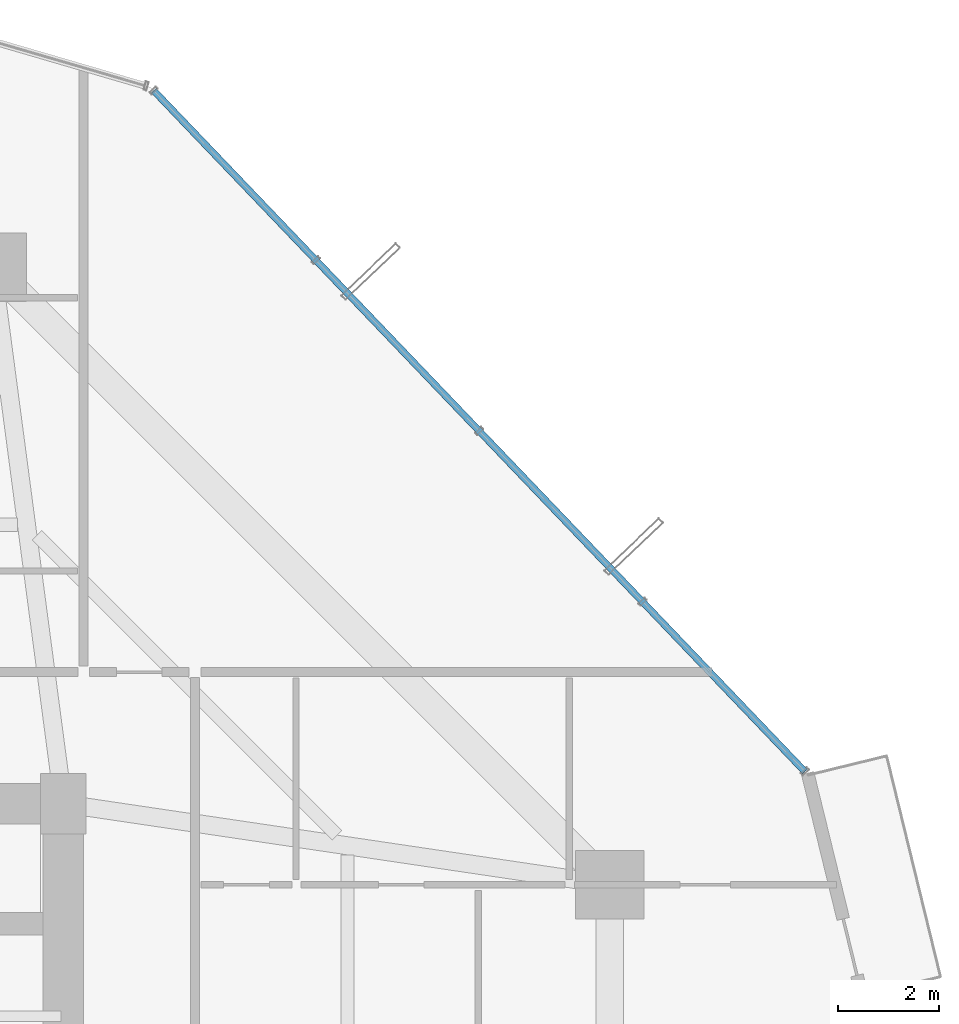
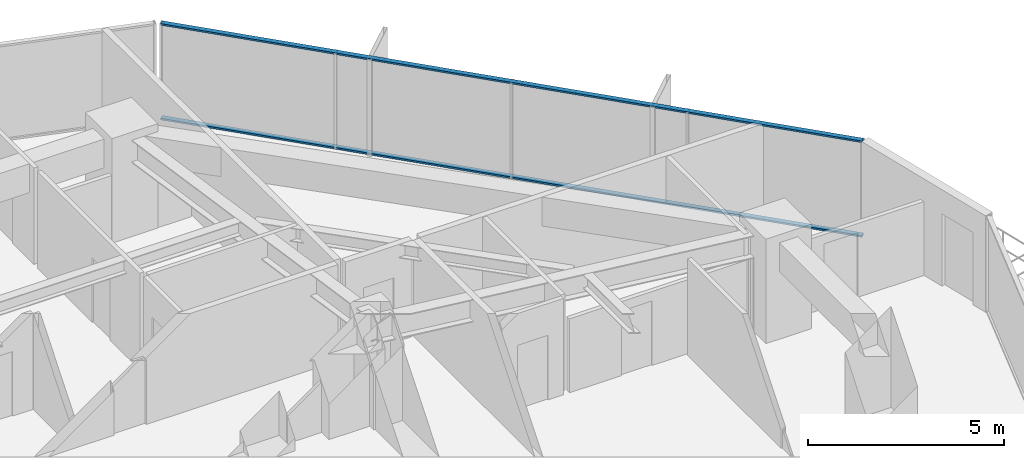
# One storey, part 29 of 37: 2 members, 1 element without a shape of its own.
"""IFC4 building model written with IfcOpenShell, lengths in metres."""

from ifc_helpers import new_model, si_unit, direction, frame, origin, origin_2d, place, context, subcontext, project, spatial, hollow_rectangle, extrude, source, transform, mapped, material, layer, layer_set, material_profile, profile_set, type_object, element, aggregate, save


model = new_model("IFC4")

# Units and contexts
model_context = context("Model", 3, precision=1e-05, world=origin(), true_north=direction((0.0, 1.0)))
body_context = subcontext(model_context, "Body", "Model", "MODEL_VIEW")
ifc_project = project(units=[si_unit("LENGTHUNIT", "METRE"), si_unit("AREAUNIT", "SQUARE_METRE"), si_unit("VOLUMEUNIT", "CUBIC_METRE"), si_unit("PLANEANGLEUNIT", "RADIAN"), si_unit("MASSUNIT", "GRAM", prefix="KILO")], contexts=[model_context])

# Site, building, storey
site_placement = place(None, origin())
site = spatial("IfcSite", under=ifc_project, at=site_placement, CompositionType="ELEMENT")
building_placement = place(site_placement, origin())
building = spatial("IfcBuilding", under=site, at=building_placement, Name="Veraguas Prism Commons", CompositionType="ELEMENT")
storey_placement = place(building_placement, frame((0.0, 0.0, 70.60009765625)))
storey = spatial("IfcBuildingStorey", under=building, at=storey_placement, Name="L19", CompositionType="ELEMENT", Elevation=70.60009765625)

# Curtain wall, members
ifc_material = material(Name="Anodised aluminium EN AW-6063 T6", Category="aluminium")
ifc_layer = layer(ifc_material, 0.169921875, Name="Unitised Flush Curtain Wall Zone 1", Category="aluminium")
ifc_layer_set = layer_set([ifc_layer], Name="Anodised aluminium EN AW-6063 T6")
curtain_wall_type = type_object("IfcCurtainWallType", Name="Unitised Flush Curtain Wall Zone 1", PredefinedType="NOTDEFINED", material=ifc_layer_set)
curtain_wall_placement = place(storey_placement, origin())
curtain_wall = element("IfcCurtainWall", 1, at=curtain_wall_placement, inside=storey, type_object=curtain_wall_type, Name="Tower Facade Curtain Wall L19-F1", PredefinedType="NOTDEFINED")
ifc_material_profile = material_profile(ifc_material, hollow_rectangle(XDim=0.054931640625, YDim=0.135009765625, WallThickness=0.0029296875, at=origin_2d()), Name="AL55X135X3")
ifc_profile_set = profile_set([ifc_material_profile], Name="Anodised aluminium EN AW-6063 T6")
member_type = type_object("IfcMemberType", Name="Curtain Wall Transom Standard AL 55x135x3", PredefinedType="USERDEFINED", material=ifc_profile_set)
shared_shape = source(origin(), body_context, "Body", "SweptSolid", [
    extrude(hollow_rectangle(XDim=0.054931640625, YDim=0.135009765625, WallThickness=0.0029296875, at=origin_2d()), origin(), (0.0, 0.0, 1.0), 18.623779296875),
])
member_1_placement = place(storey_placement, frame((45.457275390625, 31.635009765625, 0.02734375), z_axis=(-0.691127097183, 0.722733239542, 0.0), x_axis=(0.0, 0.0, 1.0)))
member_1 = element("IfcMember", 2, at=member_1_placement, type_object=member_type, Name="CW-Z1 Transom 1", ObjectType="TRANSOM", PredefinedType="USERDEFINED", context=body_context, shape_type="MappedRepresentation", body=[
    mapped(shared_shape, transform((0.0, 0.0, 0.0), scale=1.0)),
])
member_2_placement = place(storey_placement, frame((45.457275390625, 31.635009765625, 2.972412109375), z_axis=(-0.691127097183, 0.722733239542, 0.0), x_axis=(0.0, 0.0, 1.0)))
member_2 = element("IfcMember", 3, at=member_2_placement, type_object=member_type, Name="CW-Z1 Transom 2", ObjectType="TRANSOM", PredefinedType="USERDEFINED", context=body_context, shape_type="MappedRepresentation", body=[
    mapped(shared_shape, transform((0.0, 0.0, 0.0), scale=1.0)),
])
aggregate(curtain_wall, [member_1, member_2])

save(model, "model.ifc")
